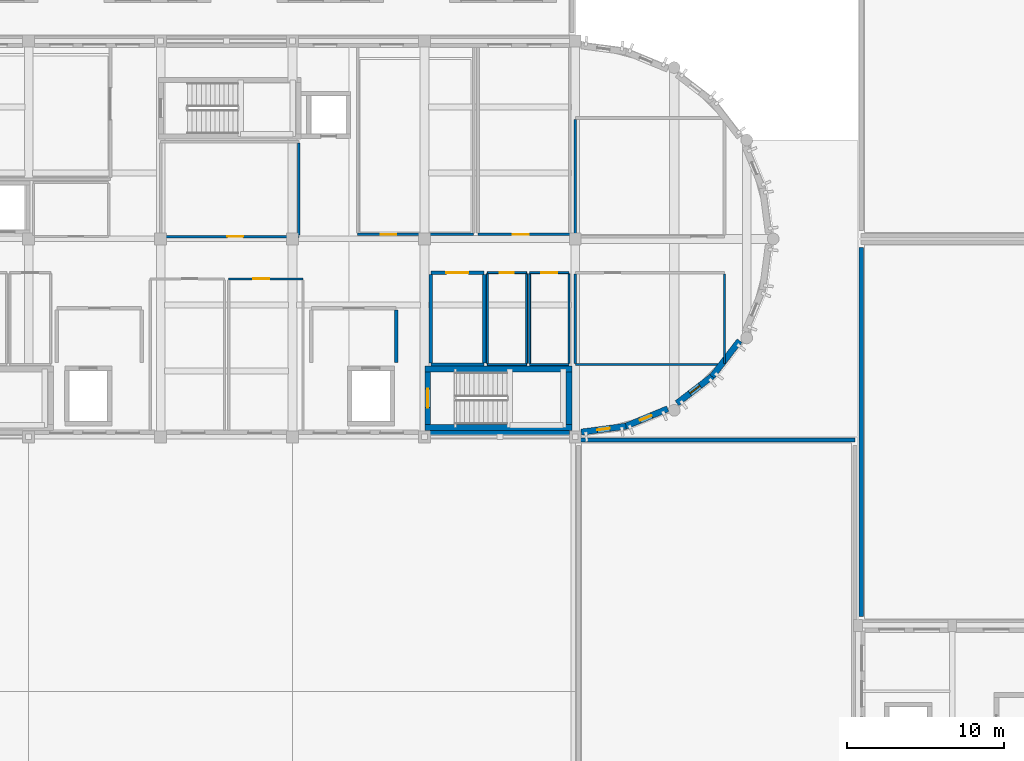
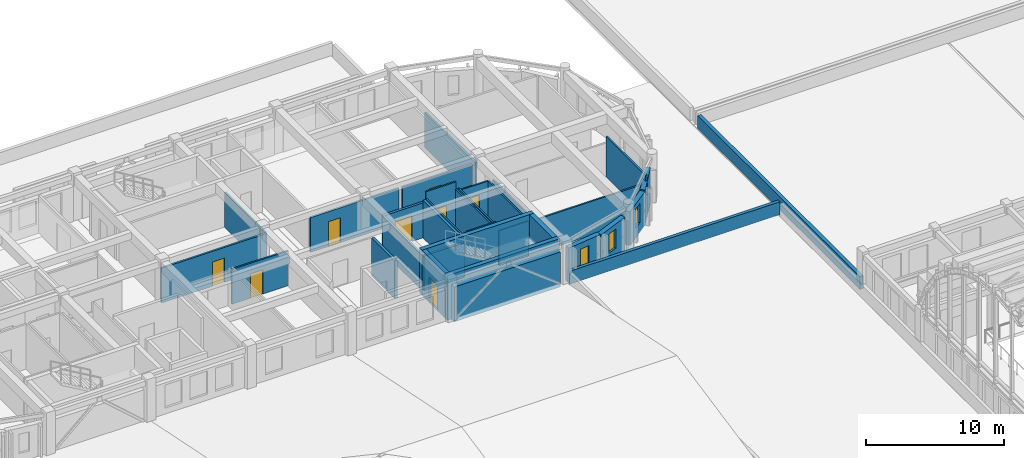
# One storey, part 23 of 46: 33 walls, 8 doors, 3 windows, 11 openings.
"""IFC4 building model written with IfcOpenShell, lengths in metres."""

from ifc_helpers import new_model, si_unit, direction, frame, frame_2d, origin, place, context, subcontext, project, spatial, rectangle, extrude, material, layer, layer_set, type_object, element, fill, save


model = new_model("IFC4")

# Units and contexts
model_context = context("Model", 3, precision=1e-05, world=origin(), true_north=direction((0.0, 1.0)))
body_context = subcontext(model_context, "Body", "Model", "MODEL_VIEW")
ifc_project = project(units=[si_unit("LENGTHUNIT", "METRE"), si_unit("AREAUNIT", "SQUARE_METRE"), si_unit("VOLUMEUNIT", "CUBIC_METRE"), si_unit("PLANEANGLEUNIT", "RADIAN"), si_unit("MASSUNIT", "GRAM", prefix="KILO")], contexts=[model_context])

# Site, building, storey
site_placement = place(None, origin())
site = spatial("IfcSite", under=ifc_project, at=site_placement, CompositionType="ELEMENT")
building_placement = place(site_placement, origin())
building = spatial("IfcBuilding", under=site, at=building_placement, Name="Tarnavel Promenade Courthouse", CompositionType="ELEMENT")
storey_placement = place(building_placement, frame((0.0, 0.0, 14.39990234375)))
storey = spatial("IfcBuildingStorey", under=building, at=storey_placement, Name="L04", CompositionType="ELEMENT", Elevation=14.39990234375)

# Wall, opening, door
ifc_material_1 = material(Name="Acoustic Insulated Gypsum Stud Partition", Category="gypsum")
ifc_layer_1 = layer(ifc_material_1, 0.1650390625)
ifc_layer_set_1 = layer_set([ifc_layer_1], Name="Acoustic Insulated Gypsum Stud Partition")
wall_type_1 = type_object("IfcWallType", Name="Acoustic Insulated Gypsum Stud Partition WL-CHM-165 (165 mm)", PredefinedType="PARTITIONING", material=ifc_layer_set_1)
wall_1_placement = place(storey_placement, frame((84.39990234375, 91.949951171875, 0.0), z_axis=(0.0, 0.0, 1.0), x_axis=(-1.0, 0.0, 0.0)))
wall_1 = element("IfcWall", 1, at=wall_1_placement, inside=storey, type_object=wall_type_1, Name="L04 L04 Judicial Panel Deliberation Salon Partition 0629", PredefinedType="PARTITIONING", context=body_context, shape_type="SweptSolid", body=[
    extrude(rectangle(XDim=8.7998046875, YDim=0.1650390625, at=frame_2d((4.39990234375, 0.0))), origin(), (0.0, 0.0, 1.0), 3.090087890625),
])
opening_1_placement = place(wall_1_placement, frame((3.544921875, 0.0, 0.0)))
opening_1 = element("IfcOpeningElement", 2, at=opening_1_placement, cuts=wall_1, Name="Opening ID-03", PredefinedType="OPENING", context=body_context, shape_type="SweptSolid", body=[
    extrude(rectangle(XDim=1.0, YDim=2.14990234375, at=frame_2d((0.5, 1.074951171875))), frame((0.0, 0.092529296875, 0.0), z_axis=(0.0, -1.0, 0.0), x_axis=(1.0, 0.0, 0.0)), (0.0, 0.0, 1.0), 0.18505859375),
])
ifc_material_2 = material(Name="Acoustic Solid-Core Oak Jury Room Door")
door_type_1 = type_object("IfcDoorType", Name="Acoustic Solid-Core Oak Jury Room Door (DR-JRY-1000x2150)", OperationType="NOTDEFINED", PredefinedType="DOOR", material=ifc_material_2)
door_1_placement = place(opening_1_placement, origin())
door_1 = element("IfcDoor", 3, at=door_1_placement, inside=storey, type_object=door_type_1, Name="L04 L04 Judicial Panel Deliberation Salon Door 0180", OperationType="SINGLE_SWING_RIGHT", OverallHeight=2.14990234375, OverallWidth=1.0, PredefinedType="DOOR", context=body_context, shape_type="SweptSolid", body=[
    extrude(rectangle(XDim=1.0, YDim=2.14990234375, at=frame_2d((0.5, 1.074951171875))), frame((0.0, 0.02490234375, 0.0), z_axis=(0.0, -1.0, 0.0), x_axis=(1.0, 0.0, 0.0)), (0.0, 0.0, 1.0), 0.050048828125),
])
fill(opening_1, door_1)

# Wall
wall_2_placement = place(storey_placement, frame((84.39990234375, 97.907470703125, 0.0), z_axis=(0.0, 0.0, 1.0), x_axis=(0.0, -1.0, 0.0)))
element("IfcWall", 4, at=wall_2_placement, inside=storey, type_object=wall_type_1, Name="L04 L04 Judicial Panel Deliberation Salon Partition 0631", PredefinedType="PARTITIONING", context=body_context, shape_type="SweptSolid", body=[
    extrude(rectangle(XDim=5.864990234375, YDim=0.1650390625, at=frame_2d((2.9326171875, 0.0))), origin(), (0.0, 0.0, 1.0), 3.090087890625),
])

# Wall, opening, door
wall_3_placement = place(storey_placement, frame((95.527099609375, 92.090087890625, 0.0), z_axis=(0.0, 0.0, 1.0), x_axis=(-1.0, 0.0, 0.0)))
wall_3 = element("IfcWall", 5, at=wall_3_placement, inside=storey, type_object=wall_type_1, Name="L04 Judges' Chambers L04 North Partition 0632", PredefinedType="PARTITIONING", context=body_context, shape_type="SweptSolid", body=[
    extrude(rectangle(XDim=7.38720703125, YDim=0.1650390625, at=frame_2d((3.693603515625, 0.0))), origin(), (0.0, 0.0, 1.0), 3.090087890625),
])
opening_2_placement = place(wall_3_placement, frame((4.91552734375, 0.0, 0.0)))
opening_2 = element("IfcOpeningElement", 6, at=opening_2_placement, cuts=wall_3, Name="Opening ID-04", PredefinedType="OPENING", context=body_context, shape_type="SweptSolid", body=[
    extrude(rectangle(XDim=0.97998046875, YDim=2.199951171875, at=frame_2d((0.489990234375, 1.10009765625))), frame((0.0, 0.092529296875, 0.0), z_axis=(0.0, -1.0, 0.0), x_axis=(1.0, 0.0, 0.0)), (0.0, 0.0, 1.0), 0.18505859375),
])
ifc_material_3 = material(Name="Solid Oak Judges Chambers Door")
door_type_2 = type_object("IfcDoorType", Name="Solid Oak Judges Chambers Door (DR-CHM-0980x2200)", OperationType="NOTDEFINED", PredefinedType="DOOR", material=ifc_material_3)
door_2_placement = place(opening_2_placement, origin())
door_2 = element("IfcDoor", 7, at=door_2_placement, inside=storey, type_object=door_type_2, Name="L04 Judges' Chambers L04 North Door 0181", OperationType="SINGLE_SWING_LEFT", OverallHeight=2.199951171875, OverallWidth=0.97998046875, PredefinedType="DOOR", context=body_context, shape_type="SweptSolid", body=[
    extrude(rectangle(XDim=0.97998046875, YDim=2.199951171875, at=frame_2d((0.489990234375, 1.10009765625))), frame((0.0, 0.02490234375, 0.0), z_axis=(0.0, -1.0, 0.0), x_axis=(1.0, 0.0, 0.0)), (0.0, 0.0, 1.0), 0.050048828125),
])
fill(opening_2, door_2)

wall_4_placement = place(storey_placement, frame((101.659912109375, 92.090087890625, 0.0), z_axis=(0.0, 0.0, 1.0), x_axis=(-1.0, 0.0, 0.0)))
wall_4 = element("IfcWall", 8, at=wall_4_placement, inside=storey, type_object=wall_type_1, Name="L04 Jury Room L04 Partition 0635", PredefinedType="PARTITIONING", context=body_context, shape_type="SweptSolid", body=[
    extrude(rectangle(XDim=5.85302734375, YDim=0.1650390625, at=frame_2d((2.926513671875, 0.0))), origin(), (0.0, 0.0, 1.0), 3.090087890625),
])
opening_3_placement = place(wall_4_placement, frame((2.634033203125, 0.0, 0.0)))
opening_3 = element("IfcOpeningElement", 9, at=opening_3_placement, cuts=wall_4, Name="Opening ID-03", PredefinedType="OPENING", context=body_context, shape_type="SweptSolid", body=[
    extrude(rectangle(XDim=1.0, YDim=2.14990234375, at=frame_2d((0.5, 1.074951171875))), frame((0.0, 0.092529296875, 0.0), z_axis=(0.0, -1.0, 0.0), x_axis=(1.0, 0.0, 0.0)), (0.0, 0.0, 1.0), 0.18505859375),
])
door_3_placement = place(opening_3_placement, origin())
door_3 = element("IfcDoor", 10, at=door_3_placement, inside=storey, type_object=door_type_1, Name="L04 Jury Room L04 Door 0182", OperationType="SINGLE_SWING_RIGHT", OverallHeight=2.14990234375, OverallWidth=1.0, PredefinedType="DOOR", context=body_context, shape_type="SweptSolid", body=[
    extrude(rectangle(XDim=1.0, YDim=2.14990234375, at=frame_2d((0.5, 1.074951171875))), frame((0.0, 0.02490234375, 0.0), z_axis=(0.0, -1.0, 0.0), x_axis=(1.0, 0.0, 0.0)), (0.0, 0.0, 1.0), 0.050048828125),
])
fill(opening_3, door_3)

# Walls
wall_5_placement = place(storey_placement, frame((102.0, 92.04248046875, 0.0), z_axis=(0.0, 0.0, 1.0), x_axis=(0.0, 1.0, 0.0)))
element("IfcWall", 11, at=wall_5_placement, inside=storey, type_object=wall_type_1, Name="L04 L04 East Drum Rotunda Jury North Partition 0650", PredefinedType="PARTITIONING", context=body_context, shape_type="SweptSolid", body=[
    extrude(rectangle(XDim=7.364990234375, YDim=0.1650390625, at=frame_2d((3.6826171875, 0.0))), origin(), (0.0, 0.0, 1.0), 3.090087890625),
])
ifc_material_4 = material(Name="Concrete C35/45", Category="concrete")
ifc_layer_2 = layer(ifc_material_4, 0.264892578125)
ifc_layer_set_2 = layer_set([ifc_layer_2], Name="Concrete C35/45")
wall_type_2 = type_object("IfcWallType", Name="Concrete C35/45 WL-PAR-265 (265 mm)", PredefinedType="PARAPET", material=ifc_layer_set_2)
wall_6_placement = place(storey_placement, frame((102.199951171875, 79.0, 0.235107421875), z_axis=(0.0, 0.0, 1.0), x_axis=(1.0, 0.0, 0.0)))
element("IfcWall", 12, at=wall_6_placement, inside=storey, type_object=wall_type_2, Name="L04 Winter-Garden East Roof Parapet North 0466", PredefinedType="PARAPET", context=body_context, shape_type="SweptSolid", body=[
    extrude(rectangle(XDim=17.60009765625, YDim=0.264892578125, at=frame_2d((8.800048828125, 0.0))), origin(), (0.0, 0.0, 1.0), 1.14501953125),
])
ifc_layer_3 = layer(ifc_material_4, 0.2900390625)
ifc_layer_set_3 = layer_set([ifc_layer_3], Name="Concrete C35/45")
wall_type_3 = type_object("IfcWallType", Name="Concrete C35/45 WL-PAR-290 (290 mm)", PredefinedType="PARAPET", material=ifc_layer_set_3)
wall_7_placement = place(storey_placement, frame((120.199951171875, 67.75, 0.26513671875), z_axis=(0.0, 0.0, 1.0), x_axis=(0.0, 1.0, 0.0)))
element("IfcWall", 13, at=wall_7_placement, inside=storey, type_object=wall_type_3, Name="L04 Custody South Roof Parapet West 0456", PredefinedType="PARAPET", context=body_context, shape_type="SweptSolid", body=[
    extrude(rectangle(XDim=23.5, YDim=0.2900390625, at=frame_2d((11.75, 0.0))), origin(), (0.0, 0.0, 1.0), 1.135009765625),
])
ifc_material_5 = material(Name="Concrete C40/50", Category="concrete")
ifc_layer_4 = layer(ifc_material_5, 0.360107421875)
ifc_layer_set_4 = layer_set([ifc_layer_4], Name="Concrete C40/50")
wall_type_4 = type_object("IfcWallType", Name="Concrete C40/50 WL-SHR-360 (360 mm)", PredefinedType="SHEAR", material=ifc_layer_set_4)
for number, where, z_axis, x_axis, name in (
    (14, (92.419921875, 83.52001953125, 0.0), (0.0, 0.0, 1.0), (1.0, 0.0, 0.0), "L04 ST-02 Shear Core North Wall"),
    (15, (101.780029296875, 79.800048828125, 0.0), (0.0, 0.0, 1.0), (-1.0, 0.0, 0.0), "L04 ST-02 Shear Core South Wall"),
):
    element("IfcWall", number, at=place(storey_placement, frame(where, z_axis=z_axis, x_axis=x_axis)), inside=storey, type_object=wall_type_4, Name=name, PredefinedType="SHEAR", context=body_context, shape_type="SweptSolid", body=[
        extrude(rectangle(XDim=9.360107421875, YDim=0.360107421875, at=frame_2d((4.68017578125, 0.0))), origin(), (0.0, 0.0, 1.0), 3.960205078125),
    ])

# Wall, opening, door
wall_8_placement = place(storey_placement, frame((92.60009765625, 79.97998046875, 0.0), z_axis=(0.0, 0.0, 1.0), x_axis=(0.0, 1.0, 0.0)))
wall_8 = element("IfcWall", 16, at=wall_8_placement, inside=storey, type_object=wall_type_4, Name="L04 ST-02 Shear Core West Landing Wall", PredefinedType="SHEAR", context=body_context, shape_type="SweptSolid", body=[
    extrude(rectangle(XDim=3.360107421875, YDim=0.360107421875, at=frame_2d((1.68017578125, 0.0))), origin(), (0.0, 0.0, 1.0), 3.960205078125),
])
opening_4_placement = place(wall_8_placement, frame((1.080078125, 0.0, 0.0)))
opening_4 = element("IfcOpeningElement", 17, at=opening_4_placement, cuts=wall_8, Name="Opening FD-02", PredefinedType="OPENING", context=body_context, shape_type="SweptSolid", body=[
    extrude(rectangle(XDim=1.199951171875, YDim=2.199951171875, at=frame_2d((0.60009765625, 1.10009765625))), frame((0.0, 0.18994140625, 0.0), z_axis=(0.0, -1.0, 0.0), x_axis=(1.0, 0.0, 0.0)), (0.0, 0.0, 1.0), 0.380126953125),
])
ifc_material_6 = material(Name="Steel Fire-Rated Firefighting Stair Door", Category="steel")
door_type_3 = type_object("IfcDoorType", Name="Steel Fire-Rated Firefighting Stair Door (DR-ST-1200x2200)", OperationType="NOTDEFINED", PredefinedType="DOOR", material=ifc_material_6)
door_4_placement = place(opening_4_placement, origin())
door_4 = element("IfcDoor", 18, at=door_4_placement, inside=storey, type_object=door_type_3, Name="L04 ST-02 Protected Exit Stair Door", OperationType="SINGLE_SWING_RIGHT", OverallHeight=2.199951171875, OverallWidth=1.199951171875, PredefinedType="DOOR", context=body_context, shape_type="SweptSolid", body=[
    extrude(rectangle(XDim=1.199951171875, YDim=2.199951171875, at=frame_2d((0.60009765625, 1.10009765625))), frame((0.0, 0.02490234375, 0.0), z_axis=(0.0, -1.0, 0.0), x_axis=(1.0, 0.0, 0.0)), (0.0, 0.0, 1.0), 0.050048828125),
])
fill(opening_4, door_4)

# Wall
wall_9_placement = place(storey_placement, frame((101.60009765625, 83.340087890625, 0.0), z_axis=(0.0, 0.0, 1.0), x_axis=(0.0, -1.0, 0.0)))
element("IfcWall", 19, at=wall_9_placement, inside=storey, type_object=wall_type_4, Name="L04 ST-02 Shear Core East Wall", PredefinedType="SHEAR", context=body_context, shape_type="SweptSolid", body=[
    extrude(rectangle(XDim=3.360107421875, YDim=0.360107421875, at=frame_2d((1.68017578125, 0.0))), origin(), (0.0, 0.0, 1.0), 3.960205078125),
])

# Wall, opening, door
ifc_material_7 = material(Name="Concrete Masonry Fire Compartment Wall", Category="masonry")
ifc_layer_5 = layer(ifc_material_7, 0.205078125)
ifc_layer_set_5 = layer_set([ifc_layer_5], Name="Concrete Masonry Fire Compartment Wall")
wall_type_5 = type_object("IfcWallType", Name="Concrete Masonry Fire Compartment Wall WL-CMP-205 (205 mm)", PredefinedType="STANDARD", material=ifc_layer_set_5)
wall_10_placement = place(storey_placement, frame((92.800048828125, 89.64990234375, 0.0), z_axis=(0.0, 0.0, 1.0), x_axis=(1.0, 0.0, 0.0)))
wall_10 = element("IfcWall", 20, at=wall_10_placement, inside=storey, type_object=wall_type_5, Name="L04 L04 Court Transcript Records Room Partition 0582", PredefinedType="STANDARD", context=body_context, shape_type="SweptSolid", body=[
    extrude(rectangle(XDim=3.39990234375, YDim=0.205078125, at=frame_2d((1.699951171875, 0.0))), origin(), (0.0, 0.0, 1.0), 3.090087890625),
])
opening_5_placement = place(wall_10_placement, frame((1.0, 0.0, 0.0)))
opening_5 = element("IfcOpeningElement", 21, at=opening_5_placement, cuts=wall_10, Name="Opening FD-04", PredefinedType="OPENING", context=body_context, shape_type="SweptSolid", body=[
    extrude(rectangle(XDim=1.39990234375, YDim=2.25, at=frame_2d((0.699951171875, 1.125))), frame((0.0, 0.112548828125, 0.0), z_axis=(0.0, -1.0, 0.0), x_axis=(1.0, 0.0, 0.0)), (0.0, 0.0, 1.0), 0.22509765625),
])
ifc_material_8 = material(Name="Heavy Steel Plant Room Fire Door", Category="steel")
door_type_4 = type_object("IfcDoorType", Name="Heavy Steel Plant Room Fire Door (DR-PLT-1400x2250)", OperationType="NOTDEFINED", PredefinedType="DOOR", material=ifc_material_8)
door_5_placement = place(opening_5_placement, origin())
door_5 = element("IfcDoor", 22, at=door_5_placement, inside=storey, type_object=door_type_4, Name="L04 L04 Court Transcript Records Room Door 0166", OperationType="SINGLE_SWING_LEFT", OverallHeight=2.25, OverallWidth=1.39990234375, PredefinedType="DOOR", context=body_context, shape_type="SweptSolid", body=[
    extrude(rectangle(XDim=1.39990234375, YDim=2.25, at=frame_2d((0.699951171875, 1.125))), frame((0.0, 0.02490234375, 0.0), z_axis=(0.0, -1.0, 0.0), x_axis=(1.0, 0.0, 0.0)), (0.0, 0.0, 1.0), 0.050048828125),
])
fill(opening_5, door_5)

# Walls
wall_11_placement = place(storey_placement, frame((96.199951171875, 83.800048828125, 0.0), z_axis=(0.0, 0.0, 1.0), x_axis=(-1.0, 0.0, 0.0)))
element("IfcWall", 23, at=wall_11_placement, inside=storey, type_object=wall_type_5, Name="L04 L04 Court Transcript Records Room Partition 0583", PredefinedType="STANDARD", context=body_context, shape_type="SweptSolid", body=[
    extrude(rectangle(XDim=3.39990234375, YDim=0.205078125, at=frame_2d((1.699951171875, 0.0))), origin(), (0.0, 0.0, 1.0), 3.090087890625),
])
wall_12_placement = place(storey_placement, frame((92.800048828125, 83.91259765625, 0.0), z_axis=(0.0, 0.0, 1.0), x_axis=(0.0, 1.0, 0.0)))
element("IfcWall", 24, at=wall_12_placement, inside=storey, type_object=wall_type_5, Name="L04 L04 Court Transcript Records Room Partition 0584", PredefinedType="STANDARD", context=body_context, shape_type="SweptSolid", body=[
    extrude(rectangle(XDim=5.625, YDim=0.205078125, at=frame_2d((2.8125, 0.0))), origin(), (0.0, 0.0, 1.0), 3.090087890625),
])
wall_13_placement = place(storey_placement, frame((96.199951171875, 89.53759765625, 0.0), z_axis=(0.0, 0.0, 1.0), x_axis=(0.0, -1.0, 0.0)))
element("IfcWall", 25, at=wall_13_placement, inside=storey, type_object=wall_type_5, Name="L04 L04 Court Transcript Records Room Partition 0585", PredefinedType="STANDARD", context=body_context, shape_type="SweptSolid", body=[
    extrude(rectangle(XDim=5.625, YDim=0.205078125, at=frame_2d((2.8125, 0.0))), origin(), (0.0, 0.0, 1.0), 3.340087890625),
])
ifc_layer_6 = layer(ifc_material_7, 0.22998046875)
ifc_layer_set_6 = layer_set([ifc_layer_6], Name="Concrete Masonry Fire Compartment Wall")
wall_type_6 = type_object("IfcWallType", Name="Concrete Masonry Fire Compartment Wall WL-CMP-230 (230 mm)", PredefinedType="STANDARD", material=ifc_layer_set_6)
wall_14_placement = place(storey_placement, frame((90.60009765625, 87.27490234375, 0.0), z_axis=(0.0, 0.0, 1.0), x_axis=(0.0, -1.0, 0.0)))
element("IfcWall", 26, at=wall_14_placement, inside=storey, type_object=wall_type_6, Name="L04 Firefighting Lobby L-FF2 Partition 0561", PredefinedType="STANDARD", context=body_context, shape_type="SweptSolid", body=[
    extrude(rectangle(XDim=3.349853515625, YDim=0.22998046875, at=frame_2d((1.6748046875, 0.0))), origin(), (0.0, 0.0, 1.0), 3.340087890625),
])
ifc_material_9 = material(Name="Cream Brick Insulated Cavity Facade Assembly", Category="masonry")
ifc_layer_7 = layer(ifc_material_9, 0.409912109375)
ifc_layer_set_7 = layer_set([ifc_layer_7], Name="Cream Brick Insulated Cavity Facade Assembly")
wall_type_7 = type_object("IfcWallType", Name="Cream Brick Insulated Cavity Facade Assembly WL-EXT-410 (410 mm)", PredefinedType="STANDARD", material=ifc_layer_set_7)
wall_15_placement = place(storey_placement, frame((101.633056640625, 79.419921875, 0.0), z_axis=(0.0, 0.0, 1.0), x_axis=(-1.0, 0.0, 0.0)))
element("IfcWall", 27, at=wall_15_placement, inside=storey, type_object=wall_type_7, Name="L04 Bar South Limestone Facade 0083", PredefinedType="STANDARD", context=body_context, shape_type="SweptSolid", body=[
    extrude(rectangle(XDim=8.865966796875, YDim=0.409912109375, at=frame_2d((4.43310546875, 0.0))), origin(), (0.0, 0.0, 1.0), 3.090087890625),
])

# Wall, opening, door
ifc_material_10 = material(Name="Metal-Stud Acoustic Gypsum Partition", Category="gypsum")
ifc_layer_8 = layer(ifc_material_10, 0.135009765625)
ifc_layer_set_8 = layer_set([ifc_layer_8], Name="Metal-Stud Acoustic Gypsum Partition")
wall_type_8 = type_object("IfcWallType", Name="Metal-Stud Acoustic Gypsum Partition WL-OFF-135 (135 mm)", PredefinedType="PARTITIONING", material=ifc_layer_set_8)
wall_16_placement = place(storey_placement, frame((79.93994140625, 89.260009765625, 0.0), z_axis=(0.0, 0.0, 1.0), x_axis=(1.0, 0.0, 0.0)))
wall_16 = element("IfcWall", 28, at=wall_16_placement, inside=storey, type_object=wall_type_8, Name="L04 Evidentiary Digital Review Room Partition 0641", PredefinedType="PARTITIONING", context=body_context, shape_type="SweptSolid", body=[
    extrude(rectangle(XDim=4.719970703125, YDim=0.135009765625, at=frame_2d((2.35986328125, 0.0))), origin(), (0.0, 0.0, 1.0), 3.090087890625),
])
opening_6_placement = place(wall_16_placement, frame((1.550048828125, 0.0, 0.0)))
opening_6 = element("IfcOpeningElement", 29, at=opening_6_placement, cuts=wall_16, Name="Opening ID-07", PredefinedType="OPENING", context=body_context, shape_type="SweptSolid", body=[
    extrude(rectangle(XDim=1.02001953125, YDim=2.14990234375, at=frame_2d((0.510009765625, 1.074951171875))), frame((0.0, 0.077392578125, 0.0), z_axis=(0.0, -1.0, 0.0), x_axis=(1.0, 0.0, 0.0)), (0.0, 0.0, 1.0), 0.155029296875),
])
ifc_material_11 = material(Name="Acoustic Timber Seminar Room Door", Category="wood")
door_type_5 = type_object("IfcDoorType", Name="Acoustic Timber Seminar Room Door (DR-MTG-1020x2150)", OperationType="NOTDEFINED", PredefinedType="DOOR", material=ifc_material_11)
door_6_placement = place(opening_6_placement, origin())
door_6 = element("IfcDoor", 30, at=door_6_placement, inside=storey, type_object=door_type_5, Name="L04 Evidentiary Digital Review Room Door 0184", OperationType="SINGLE_SWING_RIGHT", OverallHeight=2.14990234375, OverallWidth=1.02001953125, PredefinedType="DOOR", context=body_context, shape_type="SweptSolid", body=[
    extrude(rectangle(XDim=1.02001953125, YDim=2.14990234375, at=frame_2d((0.510009765625, 1.074951171875))), frame((0.0, 0.02490234375, 0.0), z_axis=(0.0, -1.0, 0.0), x_axis=(1.0, 0.0, 0.0)), (0.0, 0.0, 1.0), 0.050048828125),
])
fill(opening_6, door_6)

# Walls
wall_17_placement = place(storey_placement, frame((111.5, 83.800048828125, 0.0), z_axis=(0.0, 0.0, 1.0), x_axis=(-1.0, 0.0, 0.0)))
element("IfcWall", 31, at=wall_17_placement, inside=storey, type_object=wall_type_8, Name="L04 L04 East Drum Collegium Reference Room Partition 0653", PredefinedType="PARTITIONING", context=body_context, shape_type="SweptSolid", body=[
    extrude(rectangle(XDim=9.5, YDim=0.135009765625, at=frame_2d((4.75, 0.0))), origin(), (0.0, 0.0, 1.0), 2.989990234375),
])
wall_18_placement = place(storey_placement, frame((102.0, 83.87744140625, 0.0), z_axis=(0.0, 0.0, 1.0), x_axis=(0.0, 1.0, 0.0)))
element("IfcWall", 32, at=wall_18_placement, inside=storey, type_object=wall_type_8, Name="L04 L04 East Drum Collegium Reference Room Partition 0654", PredefinedType="PARTITIONING", context=body_context, shape_type="SweptSolid", body=[
    extrude(rectangle(XDim=5.695068359375, YDim=0.135009765625, at=frame_2d((2.84765625, 0.0))), origin(), (0.0, 0.0, 1.0), 3.090087890625),
])
wall_19_placement = place(storey_placement, frame((111.5, 89.572509765625, 0.0), z_axis=(0.0, 0.0, 1.0), x_axis=(0.0, -1.0, 0.0)))
element("IfcWall", 33, at=wall_19_placement, inside=storey, type_object=wall_type_8, Name="L04 L04 East Drum Collegium Reference Room Partition 0655", PredefinedType="PARTITIONING", context=body_context, shape_type="SweptSolid", body=[
    extrude(rectangle(XDim=5.695068359375, YDim=0.135009765625, at=frame_2d((2.84765625, 0.0))), origin(), (0.0, 0.0, 1.0), 3.590087890625),
])

# Wall, opening, door
ifc_material_12 = material(Name="Moisture-Resistant Tile-Backed Stud Partition", Category="gypsum")
ifc_layer_9 = layer(ifc_material_12, 0.125)
ifc_layer_set_9 = layer_set([ifc_layer_9], Name="Moisture-Resistant Tile-Backed Stud Partition")
wall_type_9 = type_object("IfcWallType", Name="Moisture-Resistant Tile-Backed Stud Partition WL-WET-125 (125 mm)", PredefinedType="PARTITIONING", material=ifc_layer_set_9)
wall_20_placement = place(storey_placement, frame((96.39990234375, 89.64990234375, 0.0), z_axis=(0.0, 0.0, 1.0), x_axis=(1.0, 0.0, 0.0)))
wall_20 = element("IfcWall", 34, at=wall_20_placement, inside=storey, type_object=wall_type_9, Name="L04 Staff WC Partition 0570", PredefinedType="PARTITIONING", context=body_context, shape_type="SweptSolid", body=[
    extrude(rectangle(XDim=2.5, YDim=0.125, at=frame_2d((1.25, 0.0))), origin(), (0.0, 0.0, 1.0), 3.945068359375),
])
opening_7_placement = place(wall_20_placement, frame((0.800048828125, 0.0, 0.0)))
opening_7 = element("IfcOpeningElement", 35, at=opening_7_placement, cuts=wall_20, Name="Opening ID-08", PredefinedType="OPENING", context=body_context, shape_type="SweptSolid", body=[
    extrude(rectangle(XDim=0.89990234375, YDim=2.10009765625, at=frame_2d((0.449951171875, 1.050048828125))), frame((0.0, 0.072509765625, 0.0), z_axis=(0.0, -1.0, 0.0), x_axis=(1.0, 0.0, 0.0)), (0.0, 0.0, 1.0), 0.14501953125),
])
ifc_material_13 = material(Name="Moisture-Resistant Laminate Restroom Door")
door_type_6 = type_object("IfcDoorType", Name="Moisture-Resistant Laminate Restroom Door (DR-WC-0900x2100)", OperationType="NOTDEFINED", PredefinedType="DOOR", material=ifc_material_13)
door_7_placement = place(opening_7_placement, origin())
door_7 = element("IfcDoor", 36, at=door_7_placement, inside=storey, type_object=door_type_6, Name="L04 Staff WC Door 0163", OperationType="SINGLE_SWING_RIGHT", OverallHeight=2.10009765625, OverallWidth=0.89990234375, PredefinedType="DOOR", context=body_context, shape_type="SweptSolid", body=[
    extrude(rectangle(XDim=0.89990234375, YDim=2.10009765625, at=frame_2d((0.449951171875, 1.050048828125))), frame((0.0, 0.02490234375, 0.0), z_axis=(0.0, -1.0, 0.0), x_axis=(1.0, 0.0, 0.0)), (0.0, 0.0, 1.0), 0.050048828125),
])
fill(opening_7, door_7)

# Walls
wall_21_placement = place(storey_placement, frame((98.89990234375, 83.800048828125, 0.0), z_axis=(0.0, 0.0, 1.0), x_axis=(-1.0, 0.0, 0.0)))
element("IfcWall", 37, at=wall_21_placement, inside=storey, type_object=wall_type_9, Name="L04 Staff WC Partition 0571", PredefinedType="PARTITIONING", context=body_context, shape_type="SweptSolid", body=[
    extrude(rectangle(XDim=2.5, YDim=0.125, at=frame_2d((1.25, 0.0))), origin(), (0.0, 0.0, 1.0), 3.945068359375),
])
for number, where, z_axis, x_axis, name in (
    (38, (96.39990234375, 83.87255859375, 0.0), (0.0, 0.0, 1.0), (0.0, 1.0, 0.0), "L04 Staff WC Partition 0572"),
    (39, (98.89990234375, 89.577392578125, 0.0), (0.0, 0.0, 1.0), (0.0, -1.0, 0.0), "L04 Staff WC Partition 0573"),
):
    element("IfcWall", number, at=place(storey_placement, frame(where, z_axis=z_axis, x_axis=x_axis)), inside=storey, type_object=wall_type_9, Name=name, PredefinedType="PARTITIONING", context=body_context, shape_type="SweptSolid", body=[
        extrude(rectangle(XDim=5.704833984375, YDim=0.125, at=frame_2d((2.8525390625, 0.0))), origin(), (0.0, 0.0, 1.0), 3.340087890625),
    ])

# Wall, opening, door
wall_22_placement = place(storey_placement, frame((99.10009765625, 89.64990234375, 0.0), z_axis=(0.0, 0.0, 1.0), x_axis=(1.0, 0.0, 0.0)))
wall_22 = element("IfcWall", 40, at=wall_22_placement, inside=storey, type_object=wall_type_9, Name="L04 Accessible Staff WC Partition 0574", PredefinedType="PARTITIONING", context=body_context, shape_type="SweptSolid", body=[
    extrude(rectangle(XDim=2.5, YDim=0.125, at=frame_2d((1.25, 0.0))), origin(), (0.0, 0.0, 1.0), 3.090087890625),
])
opening_8_placement = place(wall_22_placement, frame((0.75, 0.0, 0.0)))
opening_8 = element("IfcOpeningElement", 41, at=opening_8_placement, cuts=wall_22, Name="Opening ID-09", PredefinedType="OPENING", context=body_context, shape_type="SweptSolid", body=[
    extrude(rectangle(XDim=1.0, YDim=2.10009765625, at=frame_2d((0.5, 1.050048828125))), frame((0.0, 0.072509765625, 0.0), z_axis=(0.0, -1.0, 0.0), x_axis=(1.0, 0.0, 0.0)), (0.0, 0.0, 1.0), 0.14501953125),
])
ifc_material_14 = material(Name="Wide Accessible Restroom Outward Door")
door_type_7 = type_object("IfcDoorType", Name="Wide Accessible Restroom Outward Door (DR-AWC-1000x2100)", OperationType="NOTDEFINED", PredefinedType="DOOR", material=ifc_material_14)
door_8_placement = place(opening_8_placement, origin())
door_8 = element("IfcDoor", 42, at=door_8_placement, inside=storey, type_object=door_type_7, Name="L04 Accessible Staff WC Door 0164", OperationType="SINGLE_SWING_LEFT", OverallHeight=2.10009765625, OverallWidth=1.0, PredefinedType="DOOR", context=body_context, shape_type="SweptSolid", body=[
    extrude(rectangle(XDim=1.0, YDim=2.10009765625, at=frame_2d((0.5, 1.050048828125))), frame((0.0, 0.02490234375, 0.0), z_axis=(0.0, -1.0, 0.0), x_axis=(1.0, 0.0, 0.0)), (0.0, 0.0, 1.0), 0.050048828125),
])
fill(opening_8, door_8)

# Walls
wall_23_placement = place(storey_placement, frame((101.60009765625, 83.800048828125, 0.0), z_axis=(0.0, 0.0, 1.0), x_axis=(-1.0, 0.0, 0.0)))
element("IfcWall", 43, at=wall_23_placement, inside=storey, type_object=wall_type_9, Name="L04 Accessible Staff WC Partition 0575", PredefinedType="PARTITIONING", context=body_context, shape_type="SweptSolid", body=[
    extrude(rectangle(XDim=2.5, YDim=0.125, at=frame_2d((1.25, 0.0))), origin(), (0.0, 0.0, 1.0), 3.090087890625),
])
wall_24_placement = place(storey_placement, frame((99.10009765625, 83.87255859375, 0.0), z_axis=(0.0, 0.0, 1.0), x_axis=(0.0, 1.0, 0.0)))
element("IfcWall", 44, at=wall_24_placement, inside=storey, type_object=wall_type_9, Name="L04 Accessible Staff WC Partition 0576", PredefinedType="PARTITIONING", context=body_context, shape_type="SweptSolid", body=[
    extrude(rectangle(XDim=5.704833984375, YDim=0.125, at=frame_2d((2.8525390625, 0.0))), origin(), (0.0, 0.0, 1.0), 3.340087890625),
])
wall_25_placement = place(storey_placement, frame((101.60009765625, 89.577392578125, 0.0), z_axis=(0.0, 0.0, 1.0), x_axis=(0.0, -1.0, 0.0)))
element("IfcWall", 45, at=wall_25_placement, inside=storey, type_object=wall_type_9, Name="L04 Accessible Staff WC Partition 0577", PredefinedType="PARTITIONING", context=body_context, shape_type="SweptSolid", body=[
    extrude(rectangle(XDim=5.704833984375, YDim=0.125, at=frame_2d((2.8525390625, 0.0))), origin(), (0.0, 0.0, 1.0), 3.090087890625),
])

# Wall, opening, window
ifc_material_15 = material(Name="Patinated Copper-Bronze Insulated Drum Wall Assembly", Category="masonry")
ifc_layer_10 = layer(ifc_material_15, 0.39501953125)
ifc_layer_set_10 = layer_set([ifc_layer_10], Name="Patinated Copper-Bronze Insulated Drum Wall Assembly")
wall_type_10 = type_object("IfcWallType", Name="Patinated Copper-Bronze Insulated Drum Wall Assembly WL-DRUM-395 (395 mm)", PredefinedType="ELEMENTEDWALL", material=ifc_layer_set_10)
wall_26_placement = place(storey_placement, frame((102.37890625, 79.501953125, 0.0), z_axis=(0.0, 0.0, 1.0), x_axis=(0.991440991126, 0.130555586306, 0.0)))
wall_26 = element("IfcWall", 46, at=wall_26_placement, inside=storey, type_object=wall_type_10, Name="L04 E Copper Drum Chord Wall 01 0094", PredefinedType="ELEMENTEDWALL", context=body_context, shape_type="SweptSolid", body=[
    extrude(rectangle(XDim=2.874267578125, YDim=0.39501953125, at=frame_2d((1.43701171875, 0.0))), origin(), (0.0, 0.0, 1.0), 3.090087890625),
])
opening_9_placement = place(wall_26_placement, frame((1.037109375, 0.0, 0.85009765625)))
opening_9 = element("IfcOpeningElement", 47, at=opening_9_placement, cuts=wall_26, Name="Opening W-09", PredefinedType="OPENING", context=body_context, shape_type="SweptSolid", body=[
    extrude(rectangle(XDim=0.800048828125, YDim=1.699951171875, at=frame_2d((0.39990234375, 0.85009765625))), frame((0.0, 0.20751953125, 0.0), z_axis=(0.0, -1.0, 0.0), x_axis=(1.0, 0.0, 0.0)), (0.0, 0.0, 1.0), 0.4150390625),
])
ifc_material_16 = material(Name="Triple Low-E Glazed Bronze-Clad Window Assembly")
window_type = type_object("IfcWindowType", Name="Triple-Glazed Bronze-Clad Timber-Aluminium WIN-DRM-0800x1700", PartitioningType="SINGLE_PANEL", PredefinedType="WINDOW", material=ifc_material_16)
window_1_placement = place(opening_9_placement, origin())
window_1 = element("IfcWindow", 48, at=window_1_placement, inside=storey, type_object=window_type, Name="L04 Exterior Window 0074", OverallHeight=1.699951171875, OverallWidth=0.800048828125, PartitioningType="SINGLE_PANEL", PredefinedType="WINDOW", context=body_context, shape_type="SweptSolid", body=[
    extrude(rectangle(XDim=0.800048828125, YDim=1.699951171875, at=frame_2d((0.39990234375, 0.85009765625))), frame((0.0, 0.030029296875, 0.0), z_axis=(0.0, -1.0, 0.0), x_axis=(1.0, 0.0, 0.0)), (0.0, 0.0, 1.0), 0.06005859375),
])
fill(opening_9, window_1)

wall_27_placement = place(storey_placement, frame((105.16552734375, 79.8603515625, 0.0), z_axis=(0.0, 0.0, 1.0), x_axis=(0.923900731485, 0.382632249505, 0.0)))
wall_27 = element("IfcWall", 49, at=wall_27_placement, inside=storey, type_object=wall_type_10, Name="L04 E Copper Drum Chord Wall 02 0095", PredefinedType="ELEMENTEDWALL", context=body_context, shape_type="SweptSolid", body=[
    extrude(rectangle(XDim=2.947265625, YDim=0.39501953125, at=frame_2d((1.4736328125, 0.0))), origin(), (0.0, 0.0, 1.0), 2.989990234375),
])
opening_10_placement = place(wall_27_placement, frame((1.037109375, 0.0, 0.85009765625)))
opening_10 = element("IfcOpeningElement", 50, at=opening_10_placement, cuts=wall_27, Name="Opening W-09", PredefinedType="OPENING", context=body_context, shape_type="SweptSolid", body=[
    extrude(rectangle(XDim=0.800048828125, YDim=1.699951171875, at=frame_2d((0.39990234375, 0.85009765625))), frame((0.0, 0.20751953125, 0.0), z_axis=(0.0, -1.0, 0.0), x_axis=(1.0, 0.0, 0.0)), (0.0, 0.0, 1.0), 0.4150390625),
])
window_2_placement = place(opening_10_placement, origin())
window_2 = element("IfcWindow", 51, at=window_2_placement, inside=storey, type_object=window_type, Name="L04 Exterior Window 0075", OverallHeight=1.699951171875, OverallWidth=0.800048828125, PartitioningType="SINGLE_PANEL", PredefinedType="WINDOW", context=body_context, shape_type="SweptSolid", body=[
    extrude(rectangle(XDim=0.800048828125, YDim=1.699951171875, at=frame_2d((0.39990234375, 0.85009765625))), frame((0.0, 0.030029296875, 0.0), z_axis=(0.0, -1.0, 0.0), x_axis=(1.0, 0.0, 0.0)), (0.0, 0.0, 1.0), 0.06005859375),
])
fill(opening_10, window_2)

wall_28_placement = place(storey_placement, frame((108.47705078125, 81.339111328125, 0.0), z_axis=(0.0, 0.0, 1.0), x_axis=(0.793346533164, 0.608770300127, 0.0)))
wall_28 = element("IfcWall", 52, at=wall_28_placement, inside=storey, type_object=wall_type_10, Name="L04 E Copper Drum Chord Wall 03 0096", PredefinedType="ELEMENTEDWALL", context=body_context, shape_type="SweptSolid", body=[
    extrude(rectangle(XDim=2.874267578125, YDim=0.39501953125, at=frame_2d((1.43701171875, 0.0))), origin(), (0.0, 0.0, 1.0), 2.989990234375),
])
opening_11_placement = place(wall_28_placement, frame((1.037109375, 0.0, 0.85009765625)))
opening_11 = element("IfcOpeningElement", 53, at=opening_11_placement, cuts=wall_28, Name="Opening W-09", PredefinedType="OPENING", context=body_context, shape_type="SweptSolid", body=[
    extrude(rectangle(XDim=0.800048828125, YDim=1.699951171875, at=frame_2d((0.39990234375, 0.85009765625))), frame((0.0, 0.20751953125, 0.0), z_axis=(0.0, -1.0, 0.0), x_axis=(1.0, 0.0, 0.0)), (0.0, 0.0, 1.0), 0.4150390625),
])
window_3_placement = place(opening_11_placement, origin())
window_3 = element("IfcWindow", 54, at=window_3_placement, inside=storey, type_object=window_type, Name="L04 Exterior Window 0076", OverallHeight=1.699951171875, OverallWidth=0.800048828125, PartitioningType="SINGLE_PANEL", PredefinedType="WINDOW", context=body_context, shape_type="SweptSolid", body=[
    extrude(rectangle(XDim=0.800048828125, YDim=1.699951171875, at=frame_2d((0.39990234375, 0.85009765625))), frame((0.0, 0.030029296875, 0.0), z_axis=(0.0, -1.0, 0.0), x_axis=(1.0, 0.0, 0.0)), (0.0, 0.0, 1.0), 0.06005859375),
])
fill(opening_11, window_3)

# Wall
wall_29_placement = place(storey_placement, frame((110.711181640625, 83.04248046875, 0.0), z_axis=(0.0, 0.0, 1.0), x_axis=(0.608729278603, 0.79337800913, 0.0)))
element("IfcWall", 55, at=wall_29_placement, inside=storey, type_object=wall_type_10, Name="L04 E Copper Drum Chord Wall 04 0097", PredefinedType="ELEMENTEDWALL", context=body_context, shape_type="SweptSolid", body=[
    extrude(rectangle(XDim=2.87451171875, YDim=0.39501953125, at=frame_2d((1.437255859375, 0.0))), origin(), (0.0, 0.0, 1.0), 3.090087890625),
])

save(model, "model.ifc")
